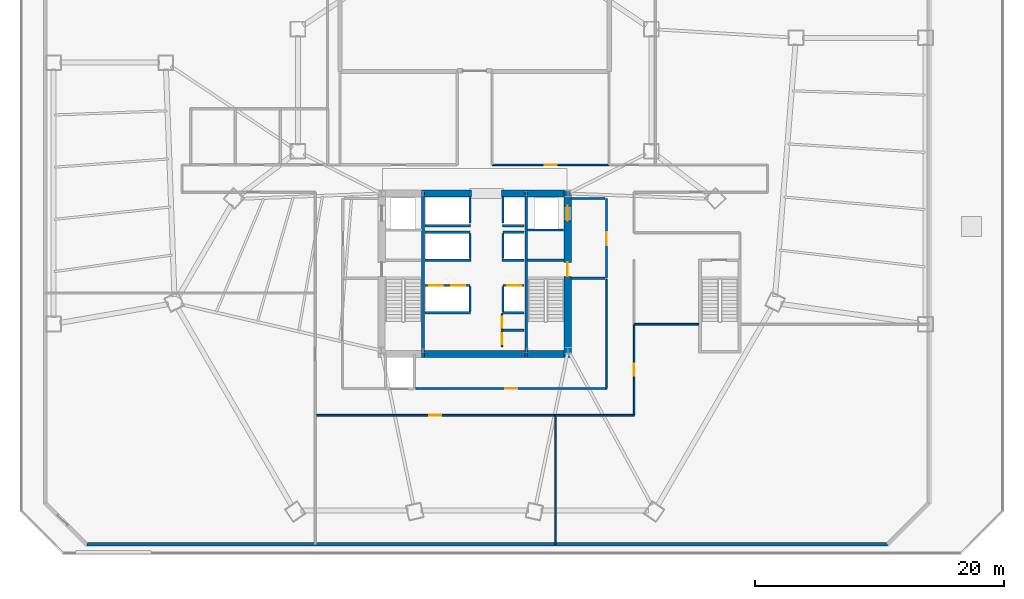
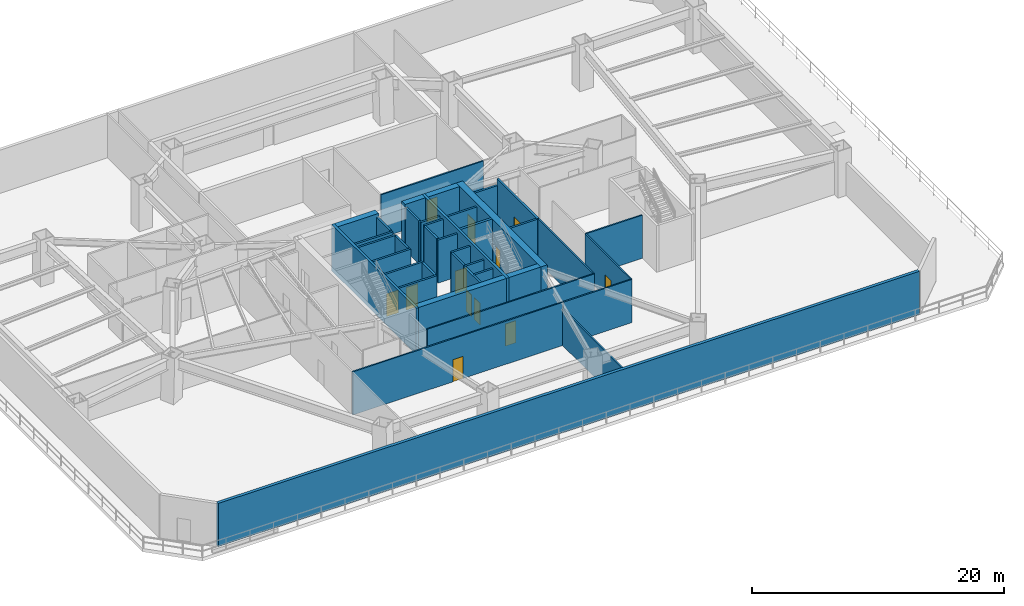
# One storey, part 6 of 13: 40 walls, 12 doors, 12 openings.
"""IFC4 building model written with IfcOpenShell, lengths in metres."""

from ifc_helpers import new_model, si_unit, direction, frame, frame_2d, origin, place, context, subcontext, project, spatial, rectangle, extrude, material, layer, layer_set, type_object, element, fill, save


model = new_model("IFC4")

# Units and contexts
model_context = context("Model", 3, precision=1e-05, world=origin(), true_north=direction((0.0, 1.0)))
body_context = subcontext(model_context, "Body", "Model", "MODEL_VIEW")
ifc_project = project(units=[si_unit("LENGTHUNIT", "METRE"), si_unit("AREAUNIT", "SQUARE_METRE"), si_unit("VOLUMEUNIT", "CUBIC_METRE"), si_unit("PLANEANGLEUNIT", "RADIAN"), si_unit("MASSUNIT", "GRAM", prefix="KILO")], contexts=[model_context])

# Site, building, storey
site_placement = place(None, origin())
site = spatial("IfcSite", under=ifc_project, at=site_placement, CompositionType="ELEMENT")
building_placement = place(site_placement, origin())
building = spatial("IfcBuilding", under=site, at=building_placement, Name="Caelisora Broadcast Tower", CompositionType="ELEMENT")
storey_placement = place(building_placement, frame((0.0, 0.0, 10.199951171875)))
storey = spatial("IfcBuildingStorey", under=building, at=storey_placement, Name="L02", CompositionType="ELEMENT", Elevation=10.199951171875)

# Wall, openings, doors
ifc_material_1 = material(Name="Concrete 65 MPa (AS 3600 S65)", Category="concrete")
ifc_layer_1 = layer(ifc_material_1, 0.60009765625, Name="Concrete 65 MPa (AS 3600 S65)")
ifc_layer_set_1 = layer_set([ifc_layer_1], Name="Concrete 65 MPa (AS 3600 S65)")
wall_type_1 = type_object("IfcWallType", Name="CW1", PredefinedType="SHEAR", material=ifc_layer_set_1)
wall_1_placement = place(storey_placement, frame((45.4599609375, 16.85009765625, 0.0), z_axis=(0.0, 0.0, 1.0), x_axis=(0.0, 1.0, 0.0)))
wall_1 = element("IfcWall", 1, at=wall_1_placement, inside=storey, type_object=wall_type_1, Name="L02 core shear wall CW1", PredefinedType="SHEAR", context=body_context, shape_type="SweptSolid", body=[
    extrude(rectangle(XDim=13.4248046875, YDim=0.60009765625, at=frame_2d((6.71240234375, 0.0))), origin(), (0.0, 0.0, 1.0), 4.5),
])
opening_1_placement = place(wall_1_placement, frame((6.5, 0.0, 0.0)))
opening_1 = element("IfcOpeningElement", 2, at=opening_1_placement, cuts=wall_1, Name="Opening FD04", PredefinedType="OPENING", context=body_context, shape_type="SweptSolid", body=[
    extrude(rectangle(XDim=1.1201171875, YDim=2.14990234375, at=frame_2d((0.56005859375, 1.074951171875))), frame((0.0, 0.31201171875, 0.0), z_axis=(0.0, -1.0, 0.0), x_axis=(1.0, 0.0, 0.0)), (0.0, 0.0, 1.0), 0.6240234375),
])
opening_2_placement = place(wall_1_placement, frame((10.949951171875, 0.0, 0.0)))
opening_2 = element("IfcOpeningElement", 3, at=opening_2_placement, cuts=wall_1, Name="Opening LD04", PredefinedType="OPENING", context=body_context, shape_type="SweptSolid", body=[
    extrude(rectangle(XDim=1.199951171875, YDim=2.199951171875, at=frame_2d((0.60009765625, 1.10009765625))), frame((0.0, 0.31201171875, 0.0), z_axis=(0.0, -1.0, 0.0), x_axis=(1.0, 0.0, 0.0)), (0.0, 0.0, 1.0), 0.6240234375),
])
ifc_material_2 = material(Name="Pressurised Fire-Isolated Stair Door", Category="steel")
door_type_1 = type_object("IfcDoorType", Name="FD04", OperationType="NOTDEFINED", PredefinedType="DOOR", material=ifc_material_2)
door_1_placement = place(opening_1_placement, origin())
door_1 = element("IfcDoor", 4, at=door_1_placement, inside=storey, type_object=door_type_1, Name="L02 door FD04 (L02-DR-ST2)", OperationType="SINGLE_SWING_RIGHT", OverallHeight=2.14990234375, OverallWidth=1.1201171875, PredefinedType="DOOR", context=body_context, shape_type="SweptSolid", body=[
    extrude(rectangle(XDim=1.1201171875, YDim=2.14990234375, at=frame_2d((0.56005859375, 1.074951171875))), frame((0.0, 0.02490234375, 0.0), z_axis=(0.0, -1.0, 0.0), x_axis=(1.0, 0.0, 0.0)), (0.0, 0.0, 1.0), 0.050048828125),
])
fill(opening_1, door_1)
ifc_material_3 = material(Name="Emergency Firefighting Lift Sliding Landing Door", Category="steel")
door_type_2 = type_object("IfcDoorType", Name="LD04", OperationType="NOTDEFINED", PredefinedType="DOOR", material=ifc_material_3)
door_2_placement = place(opening_2_placement, origin())
door_2 = element("IfcDoor", 5, at=door_2_placement, inside=storey, type_object=door_type_2, Name="L02 door LD04 (L02-LD-FFL2)", OperationType="SLIDING_TO_RIGHT", OverallHeight=2.199951171875, OverallWidth=1.199951171875, PredefinedType="DOOR", context=body_context, shape_type="SweptSolid", body=[
    extrude(rectangle(XDim=1.199951171875, YDim=2.199951171875, at=frame_2d((0.60009765625, 1.10009765625))), frame((0.0, 0.02490234375, 0.0), z_axis=(0.0, -1.0, 0.0), x_axis=(1.0, 0.0, 0.0)), (0.0, 0.0, 1.0), 0.050048828125),
])
fill(opening_2, door_2)

# Walls
ifc_layer_2 = layer(ifc_material_1, 0.550048828125, Name="Concrete 65 MPa (AS 3600 S65)")
ifc_layer_set_2 = layer_set([ifc_layer_2], Name="Concrete 65 MPa (AS 3600 S65)")
wall_type_2 = type_object("IfcWallType", Name="CW4", PredefinedType="SHEAR", material=ifc_layer_set_2)
wall_2_placement = place(storey_placement, frame((33.9599609375, 17.125, 0.0), z_axis=(0.0, 0.0, 1.0), x_axis=(1.0, 0.0, 0.0)))
element("IfcWall", 6, at=wall_2_placement, inside=storey, type_object=wall_type_2, Name="L02 core shear wall CW4", PredefinedType="SHEAR", context=body_context, shape_type="SweptSolid", body=[
    extrude(rectangle(XDim=8.080078125, YDim=0.550048828125, at=frame_2d((4.0400390625, 0.0))), origin(), (0.0, 0.0, 1.0), 4.5),
])
wall_3_placement = place(storey_placement, frame((42.260009765625, 17.125, 0.0), z_axis=(0.0, 0.0, 1.0), x_axis=(1.0, 0.0, 0.0)))
element("IfcWall", 7, at=wall_3_placement, inside=storey, type_object=wall_type_2, Name="L02 core shear wall CW4", PredefinedType="SHEAR", context=body_context, shape_type="SweptSolid", body=[
    extrude(rectangle(XDim=2.89990234375, YDim=0.550048828125, at=frame_2d((1.449951171875, 0.0))), origin(), (0.0, 0.0, 1.0), 4.5),
])
wall_4_placement = place(storey_placement, frame((33.9599609375, 30.0, 0.0), z_axis=(0.0, 0.0, 1.0), x_axis=(1.0, 0.0, 0.0)))
element("IfcWall", 8, at=wall_4_placement, inside=storey, type_object=wall_type_2, Name="L02 core shear wall CW4", PredefinedType="SHEAR", context=body_context, shape_type="SweptSolid", body=[
    extrude(rectangle(XDim=3.780029296875, YDim=0.550048828125, at=frame_2d((1.89013671875, 0.0))), origin(), (0.0, 0.0, 1.0), 4.5),
])
wall_5_placement = place(storey_placement, frame((40.159912109375, 30.0, 0.0), z_axis=(0.0, 0.0, 1.0), x_axis=(1.0, 0.0, 0.0)))
element("IfcWall", 9, at=wall_5_placement, inside=storey, type_object=wall_type_2, Name="L02 core shear wall CW4", PredefinedType="SHEAR", context=body_context, shape_type="SweptSolid", body=[
    extrude(rectangle(XDim=1.880126953125, YDim=0.550048828125, at=frame_2d((0.93994140625, 0.0))), origin(), (0.0, 0.0, 1.0), 4.5),
])
wall_6_placement = place(storey_placement, frame((42.260009765625, 30.0, 0.0), z_axis=(0.0, 0.0, 1.0), x_axis=(1.0, 0.0, 0.0)))
element("IfcWall", 10, at=wall_6_placement, inside=storey, type_object=wall_type_2, Name="L02 core shear wall CW4", PredefinedType="SHEAR", context=body_context, shape_type="SweptSolid", body=[
    extrude(rectangle(XDim=2.89990234375, YDim=0.550048828125, at=frame_2d((1.449951171875, 0.0))), origin(), (0.0, 0.0, 1.0), 4.5),
])
ifc_material_4 = material(Name="Concrete 50 MPa (AS 3600 S50)", Category="concrete")
ifc_layer_3 = layer(ifc_material_4, 0.219970703125, Name="Concrete 50 MPa (AS 3600 S50)")
ifc_layer_set_3 = layer_set([ifc_layer_3], Name="Concrete 50 MPa (AS 3600 S50)")
wall_type_3 = type_object("IfcWallType", Name="CW7", PredefinedType="SHEAR", material=ifc_layer_set_3)
for number, where, z_axis, x_axis, name in (
    (11, (33.85009765625, 16.85009765625, 0.0), (0.0, 0.0, 1.0), (0.0, 1.0, 0.0), "L02 core shear wall CW7"),
    (12, (42.14990234375, 16.85009765625, 0.0), (0.0, 0.0, 1.0), (0.0, 1.0, 0.0), "L02 core shear wall CW7"),
):
    element("IfcWall", number, at=place(storey_placement, frame(where, z_axis=z_axis, x_axis=x_axis)), inside=storey, type_object=wall_type_3, Name=name, PredefinedType="SHEAR", context=body_context, shape_type="SweptSolid", body=[
        extrude(rectangle(XDim=13.4248046875, YDim=0.219970703125, at=frame_2d((6.71240234375, 0.0))), origin(), (0.0, 0.0, 1.0), 4.5),
    ])
wall_7_placement = place(storey_placement, frame((42.260009765625, 24.639892578125, 0.0), z_axis=(0.0, 0.0, 1.0), x_axis=(1.0, 0.0, 0.0)))
element("IfcWall", 13, at=wall_7_placement, inside=storey, type_object=wall_type_3, Name="L02 core shear wall CW7", PredefinedType="SHEAR", context=body_context, shape_type="SweptSolid", body=[
    extrude(rectangle(XDim=2.89990234375, YDim=0.219970703125, at=frame_2d((1.449951171875, 0.0))), origin(), (0.0, 0.0, 1.0), 4.5),
])
ifc_material_5 = material(Name="Insulated Terracotta Spandrel Wall System", Category="masonry")
ifc_layer_4 = layer(ifc_material_5, 0.280029296875, Name="Insulated Terracotta Spandrel Wall System")
ifc_layer_set_4 = layer_set([ifc_layer_4], Name="Insulated Terracotta Spandrel Wall System")
wall_type_4 = type_object("IfcWallType", Name="EW1", PredefinedType="STANDARD", material=ifc_layer_set_4)
wall_8_placement = place(storey_placement, frame((71.138916015625, 1.840087890625, 0.0), z_axis=(0.0, 0.0, 1.0), x_axis=(-1.0, 0.0, 0.0)))
element("IfcWall", 14, at=wall_8_placement, inside=storey, type_object=wall_type_4, Name="L02 exterior envelope wall EW1", PredefinedType="STANDARD", context=body_context, shape_type="SweptSolid", body=[
    extrude(rectangle(XDim=64.27783203125, YDim=0.280029296875, at=frame_2d((32.138916015625, 0.0))), origin(), (0.0, 0.0, 1.0), 4.179931640625),
])

# Wall, openings, doors
ifc_material_6 = material(Name="Fire-Rated Gypsum Shaft and Compartment Wall", Category="gypsum")
ifc_layer_5 = layer(ifc_material_6, 0.179931640625, Name="Fire-Rated Gypsum Shaft and Compartment Wall")
ifc_layer_set_5 = layer_set([ifc_layer_5], Name="Fire-Rated Gypsum Shaft and Compartment Wall")
wall_type_5 = type_object("IfcWallType", Name="PW2", PredefinedType="PARTITIONING", material=ifc_layer_set_5)
wall_9_placement = place(storey_placement, frame((34.02001953125, 22.6201171875, 0.0), z_axis=(0.0, 0.0, 1.0), x_axis=(1.0, 0.0, 0.0)))
wall_9 = element("IfcWall", 15, at=wall_9_placement, inside=storey, type_object=wall_type_5, Name="L02 fire compartment wall PW2", PredefinedType="PARTITIONING", context=body_context, shape_type="SweptSolid", body=[
    extrude(rectangle(XDim=3.60009765625, YDim=0.179931640625, at=frame_2d((1.800048828125, 0.0))), origin(), (0.0, 0.0, 1.0), 4.179931640625),
])
opening_3_placement = place(wall_9_placement, frame((0.320068359375, 0.0, 0.0)))
opening_3 = element("IfcOpeningElement", 16, at=opening_3_placement, cuts=wall_9, Name="Opening LD01", PredefinedType="OPENING", context=body_context, shape_type="SweptSolid", body=[
    extrude(rectangle(XDim=1.10009765625, YDim=2.199951171875, at=frame_2d((0.550048828125, 1.10009765625))), frame((0.0, 0.10205078125, 0.0), z_axis=(0.0, -1.0, 0.0), x_axis=(1.0, 0.0, 0.0)), (0.0, 0.0, 1.0), 0.203857421875),
])
opening_4_placement = place(wall_9_placement, frame((2.1201171875, 0.0, 0.0)))
opening_4 = element("IfcOpeningElement", 17, at=opening_4_placement, cuts=wall_9, Name="Opening LD01", PredefinedType="OPENING", context=body_context, shape_type="SweptSolid", body=[
    extrude(rectangle(XDim=1.10009765625, YDim=2.199951171875, at=frame_2d((0.550048828125, 1.10009765625))), frame((0.0, 0.10205078125, 0.0), z_axis=(0.0, -1.0, 0.0), x_axis=(1.0, 0.0, 0.0)), (0.0, 0.0, 1.0), 0.203857421875),
])
ifc_material_7 = material(Name="Stainless Steel Centre-Parting Lift Landing Door", Category="steel")
door_type_3 = type_object("IfcDoorType", Name="LD01", OperationType="NOTDEFINED", PredefinedType="DOOR", material=ifc_material_7)
door_3_placement = place(opening_3_placement, origin())
door_3 = element("IfcDoor", 18, at=door_3_placement, inside=storey, type_object=door_type_3, Name="L02 door LD01 (L02-LD-PLL1)", OperationType="SLIDING_TO_LEFT", OverallHeight=2.199951171875, OverallWidth=1.10009765625, PredefinedType="DOOR", context=body_context, shape_type="SweptSolid", body=[
    extrude(rectangle(XDim=1.10009765625, YDim=2.199951171875, at=frame_2d((0.550048828125, 1.10009765625))), frame((0.0, 0.02490234375, 0.0), z_axis=(0.0, -1.0, 0.0), x_axis=(1.0, 0.0, 0.0)), (0.0, 0.0, 1.0), 0.050048828125),
])
fill(opening_3, door_3)
door_4_placement = place(opening_4_placement, origin())
door_4 = element("IfcDoor", 19, at=door_4_placement, inside=storey, type_object=door_type_3, Name="L02 door LD01 (L02-LD-PLL2)", OperationType="SLIDING_TO_RIGHT", OverallHeight=2.199951171875, OverallWidth=1.10009765625, PredefinedType="DOOR", context=body_context, shape_type="SweptSolid", body=[
    extrude(rectangle(XDim=1.10009765625, YDim=2.199951171875, at=frame_2d((0.550048828125, 1.10009765625))), frame((0.0, 0.02490234375, 0.0), z_axis=(0.0, -1.0, 0.0), x_axis=(1.0, 0.0, 0.0)), (0.0, 0.0, 1.0), 0.050048828125),
])
fill(opening_4, door_4)

# Wall, opening, door
wall_10_placement = place(storey_placement, frame((40.280029296875, 22.6201171875, 0.0), z_axis=(0.0, 0.0, 1.0), x_axis=(1.0, 0.0, 0.0)))
wall_10 = element("IfcWall", 20, at=wall_10_placement, inside=storey, type_object=wall_type_5, Name="L02 fire compartment wall PW2", PredefinedType="PARTITIONING", context=body_context, shape_type="SweptSolid", body=[
    extrude(rectangle(XDim=1.699951171875, YDim=0.179931640625, at=frame_2d((0.85009765625, 0.0))), origin(), (0.0, 0.0, 1.0), 4.179931640625),
])
opening_5_placement = place(wall_10_placement, frame((0.35009765625, 0.0, 0.0)))
opening_5 = element("IfcOpeningElement", 21, at=opening_5_placement, cuts=wall_10, Name="Opening LD01", PredefinedType="OPENING", context=body_context, shape_type="SweptSolid", body=[
    extrude(rectangle(XDim=1.10009765625, YDim=2.199951171875, at=frame_2d((0.550048828125, 1.10009765625))), frame((0.0, 0.10205078125, 0.0), z_axis=(0.0, -1.0, 0.0), x_axis=(1.0, 0.0, 0.0)), (0.0, 0.0, 1.0), 0.203857421875),
])
door_5_placement = place(opening_5_placement, origin())
door_5 = element("IfcDoor", 22, at=door_5_placement, inside=storey, type_object=door_type_3, Name="L02 door LD01 (L02-LD-PLL3)", OperationType="SLIDING_TO_LEFT", OverallHeight=2.199951171875, OverallWidth=1.10009765625, PredefinedType="DOOR", context=body_context, shape_type="SweptSolid", body=[
    extrude(rectangle(XDim=1.10009765625, YDim=2.199951171875, at=frame_2d((0.550048828125, 1.10009765625))), frame((0.0, 0.02490234375, 0.0), z_axis=(0.0, -1.0, 0.0), x_axis=(1.0, 0.0, 0.0)), (0.0, 0.0, 1.0), 0.050048828125),
])
fill(opening_5, door_5)

# Walls
for number, where, z_axis, x_axis, name in (
    (23, (37.6201171875, 20.52001953125, 0.0), (0.0, 0.0, 1.0), (0.0, 1.0, 0.0), "L02 fire compartment wall PW2"),
    (24, (40.280029296875, 20.52001953125, 0.0), (0.0, 0.0, 1.0), (0.0, 1.0, 0.0), "L02 fire compartment wall PW2"),
):
    element("IfcWall", number, at=place(storey_placement, frame(where, z_axis=z_axis, x_axis=x_axis)), inside=storey, type_object=wall_type_5, Name=name, PredefinedType="PARTITIONING", context=body_context, shape_type="SweptSolid", body=[
        extrude(rectangle(XDim=2.0, YDim=0.179931640625, at=frame_2d((1.0, 0.0))), origin(), (0.0, 0.0, 1.0), 4.179931640625),
    ])
wall_11_placement = place(storey_placement, frame((34.02001953125, 26.89990234375, 0.0), z_axis=(0.0, 0.0, 1.0), x_axis=(1.0, 0.0, 0.0)))
element("IfcWall", 25, at=wall_11_placement, inside=storey, type_object=wall_type_5, Name="L02 fire compartment wall PW2", PredefinedType="PARTITIONING", context=body_context, shape_type="SweptSolid", body=[
    extrude(rectangle(XDim=3.60009765625, YDim=0.179931640625, at=frame_2d((1.800048828125, 0.0))), origin(), (0.0, 0.0, 1.0), 4.179931640625),
])
wall_12_placement = place(storey_placement, frame((40.280029296875, 26.89990234375, 0.0), z_axis=(0.0, 0.0, 1.0), x_axis=(1.0, 0.0, 0.0)))
element("IfcWall", 26, at=wall_12_placement, inside=storey, type_object=wall_type_5, Name="L02 fire compartment wall PW2", PredefinedType="PARTITIONING", context=body_context, shape_type="SweptSolid", body=[
    extrude(rectangle(XDim=1.699951171875, YDim=0.179931640625, at=frame_2d((0.85009765625, 0.0))), origin(), (0.0, 0.0, 1.0), 4.179931640625),
])
for number, where, z_axis, x_axis, name in (
    (27, (37.6201171875, 24.800048828125, 0.0), (0.0, 0.0, 1.0), (0.0, 1.0, 0.0), "L02 fire compartment wall PW2"),
    (28, (40.280029296875, 24.800048828125, 0.0), (0.0, 0.0, 1.0), (0.0, 1.0, 0.0), "L02 fire compartment wall PW2"),
):
    element("IfcWall", number, at=place(storey_placement, frame(where, z_axis=z_axis, x_axis=x_axis)), inside=storey, type_object=wall_type_5, Name=name, PredefinedType="PARTITIONING", context=body_context, shape_type="SweptSolid", body=[
        extrude(rectangle(XDim=2.0, YDim=0.179931640625, at=frame_2d((1.0, 0.0))), origin(), (0.0, 0.0, 1.0), 4.179931640625),
    ])
wall_13_placement = place(storey_placement, frame((34.02001953125, 24.639892578125, 0.0), z_axis=(0.0, 0.0, 1.0), x_axis=(1.0, 0.0, 0.0)))
element("IfcWall", 29, at=wall_13_placement, inside=storey, type_object=wall_type_5, Name="L02 fire compartment wall PW2", PredefinedType="PARTITIONING", context=body_context, shape_type="SweptSolid", body=[
    extrude(rectangle(XDim=3.679931640625, YDim=0.179931640625, at=frame_2d((1.83984375, 0.0))), origin(), (0.0, 0.0, 1.0), 4.179931640625),
])
wall_14_placement = place(storey_placement, frame((40.199951171875, 24.639892578125, 0.0), z_axis=(0.0, 0.0, 1.0), x_axis=(1.0, 0.0, 0.0)))
element("IfcWall", 30, at=wall_14_placement, inside=storey, type_object=wall_type_5, Name="L02 fire compartment wall PW2", PredefinedType="PARTITIONING", context=body_context, shape_type="SweptSolid", body=[
    extrude(rectangle(XDim=1.780029296875, YDim=0.179931640625, at=frame_2d((0.89013671875, 0.0))), origin(), (0.0, 0.0, 1.0), 4.179931640625),
])
wall_15_placement = place(storey_placement, frame((34.02001953125, 27.419921875, 0.0), z_axis=(0.0, 0.0, 1.0), x_axis=(1.0, 0.0, 0.0)))
element("IfcWall", 31, at=wall_15_placement, inside=storey, type_object=wall_type_5, Name="L02 fire compartment wall PW2", PredefinedType="PARTITIONING", context=body_context, shape_type="SweptSolid", body=[
    extrude(rectangle(XDim=3.659912109375, YDim=0.179931640625, at=frame_2d((1.830078125, 0.0))), origin(), (0.0, 0.0, 1.0), 4.179931640625),
])
wall_16_placement = place(storey_placement, frame((40.219970703125, 27.419921875, 0.0), z_axis=(0.0, 0.0, 1.0), x_axis=(1.0, 0.0, 0.0)))
element("IfcWall", 32, at=wall_16_placement, inside=storey, type_object=wall_type_5, Name="L02 fire compartment wall PW2", PredefinedType="PARTITIONING", context=body_context, shape_type="SweptSolid", body=[
    extrude(rectangle(XDim=1.760009765625, YDim=0.179931640625, at=frame_2d((0.8798828125, 0.0))), origin(), (0.0, 0.0, 1.0), 4.179931640625),
])
for number, where, z_axis, x_axis, name in (
    (33, (37.6201171875, 27.639892578125, 0.0), (0.0, 0.0, 1.0), (0.0, 1.0, 0.0), "L02 fire compartment wall PW2"),
    (34, (40.280029296875, 27.639892578125, 0.0), (0.0, 0.0, 1.0), (0.0, 1.0, 0.0), "L02 fire compartment wall PW2"),
):
    element("IfcWall", number, at=place(storey_placement, frame(where, z_axis=z_axis, x_axis=x_axis)), inside=storey, type_object=wall_type_5, Name=name, PredefinedType="PARTITIONING", context=body_context, shape_type="SweptSolid", body=[
        extrude(rectangle(XDim=2.110107421875, YDim=0.179931640625, at=frame_2d((1.05517578125, 0.0))), origin(), (0.0, 0.0, 1.0), 4.179931640625),
    ])

# Wall, opening, door
wall_17_placement = place(storey_placement, frame((48.580078125, 23.199951171875, 0.0), z_axis=(0.0, 0.0, 1.0), x_axis=(0.0, 1.0, 0.0)))
wall_17 = element("IfcWall", 35, at=wall_17_placement, inside=storey, type_object=wall_type_5, Name="L02 fire compartment wall PW2", PredefinedType="PARTITIONING", context=body_context, shape_type="SweptSolid", body=[
    extrude(rectangle(XDim=6.400146484375, YDim=0.179931640625, at=frame_2d((3.2001953125, 0.0))), origin(), (0.0, 0.0, 1.0), 4.179931640625),
])
opening_6_placement = place(wall_17_placement, frame((2.64990234375, 0.0, 0.0)))
opening_6 = element("IfcOpeningElement", 36, at=opening_6_placement, cuts=wall_17, Name="Opening FD02", PredefinedType="OPENING", context=body_context, shape_type="SweptSolid", body=[
    extrude(rectangle(XDim=1.050048828125, YDim=2.14990234375, at=frame_2d((0.52490234375, 1.074951171875))), frame((0.0, 0.10205078125, 0.0), z_axis=(0.0, -1.0, 0.0), x_axis=(1.0, 0.0, 0.0)), (0.0, 0.0, 1.0), 0.203857421875),
])
ifc_material_8 = material(Name="Single-Leaf Steel Fire Lobby Door", Category="steel")
door_type_4 = type_object("IfcDoorType", Name="FD02", OperationType="NOTDEFINED", PredefinedType="DOOR", material=ifc_material_8)
door_6_placement = place(opening_6_placement, origin())
door_6 = element("IfcDoor", 37, at=door_6_placement, inside=storey, type_object=door_type_4, Name="L02 door FD02 (L02-DR-P04D1)", OperationType="SINGLE_SWING_RIGHT", OverallHeight=2.14990234375, OverallWidth=1.050048828125, PredefinedType="DOOR", context=body_context, shape_type="SweptSolid", body=[
    extrude(rectangle(XDim=1.050048828125, YDim=2.14990234375, at=frame_2d((0.52490234375, 1.074951171875))), frame((0.0, 0.02490234375, 0.0), z_axis=(0.0, -1.0, 0.0), x_axis=(1.0, 0.0, 0.0)), (0.0, 0.0, 1.0), 0.050048828125),
])
fill(opening_6, door_6)

# Walls
wall_18_placement = place(storey_placement, frame((45.719970703125, 23.199951171875, 0.0), z_axis=(0.0, 0.0, 1.0), x_axis=(1.0, 0.0, 0.0)))
element("IfcWall", 38, at=wall_18_placement, inside=storey, type_object=wall_type_5, Name="L02 fire compartment wall PW2", PredefinedType="PARTITIONING", context=body_context, shape_type="SweptSolid", body=[
    extrude(rectangle(XDim=2.760009765625, YDim=0.179931640625, at=frame_2d((1.3798828125, 0.0))), origin(), (0.0, 0.0, 1.0), 4.179931640625),
])
wall_19_placement = place(storey_placement, frame((45.719970703125, 29.60009765625, 0.0), z_axis=(0.0, 0.0, 1.0), x_axis=(1.0, 0.0, 0.0)))
element("IfcWall", 39, at=wall_19_placement, inside=storey, type_object=wall_type_5, Name="L02 fire compartment wall PW2", PredefinedType="PARTITIONING", context=body_context, shape_type="SweptSolid", body=[
    extrude(rectangle(XDim=2.760009765625, YDim=0.179931640625, at=frame_2d((1.3798828125, 0.0))), origin(), (0.0, 0.0, 1.0), 3.553466796875),
])
wall_20_placement = place(storey_placement, frame((42.239990234375, 27.070068359375, 0.0), z_axis=(0.0, 0.0, 1.0), x_axis=(1.0, 0.0, 0.0)))
element("IfcWall", 40, at=wall_20_placement, inside=storey, type_object=wall_type_5, Name="L02 fire compartment wall PW2", PredefinedType="PARTITIONING", context=body_context, shape_type="SweptSolid", body=[
    extrude(rectangle(XDim=2.89990234375, YDim=0.179931640625, at=frame_2d((1.449951171875, 0.0))), origin(), (0.0, 0.0, 1.0), 4.179931640625),
])
wall_21_placement = place(storey_placement, frame((34.02001953125, 20.419921875, 0.0), z_axis=(0.0, 0.0, 1.0), x_axis=(1.0, 0.0, 0.0)))
element("IfcWall", 41, at=wall_21_placement, inside=storey, type_object=wall_type_5, Name="L02 fire compartment wall PW2", PredefinedType="PARTITIONING", context=body_context, shape_type="SweptSolid", body=[
    extrude(rectangle(XDim=3.639892578125, YDim=0.179931640625, at=frame_2d((1.81982421875, 0.0))), origin(), (0.0, 0.0, 1.0), 4.179931640625),
])
wall_22_placement = place(storey_placement, frame((40.219970703125, 20.419921875, 0.0), z_axis=(0.0, 0.0, 1.0), x_axis=(1.0, 0.0, 0.0)))
element("IfcWall", 42, at=wall_22_placement, inside=storey, type_object=wall_type_5, Name="L02 fire compartment wall PW2", PredefinedType="PARTITIONING", context=body_context, shape_type="SweptSolid", body=[
    extrude(rectangle(XDim=1.760009765625, YDim=0.179931640625, at=frame_2d((0.8798828125, 0.0))), origin(), (0.0, 0.0, 1.0), 4.179931640625),
])
wall_23_placement = place(storey_placement, frame((40.280029296875, 19.02001953125, 0.0), z_axis=(0.0, 0.0, 1.0), x_axis=(1.0, 0.0, 0.0)))
element("IfcWall", 43, at=wall_23_placement, inside=storey, type_object=wall_type_5, Name="L02 fire compartment wall PW2", PredefinedType="PARTITIONING", context=body_context, shape_type="SweptSolid", body=[
    extrude(rectangle(XDim=1.699951171875, YDim=0.179931640625, at=frame_2d((0.85009765625, 0.0))), origin(), (0.0, 0.0, 1.0), 4.179931640625),
])

# Wall, openings, doors
wall_24_placement = place(storey_placement, frame((40.199951171875, 17.679931640625, 0.0), z_axis=(0.0, 0.0, 1.0), x_axis=(0.0, 1.0, 0.0)))
wall_24 = element("IfcWall", 44, at=wall_24_placement, inside=storey, type_object=wall_type_5, Name="L02 fire compartment wall PW2", PredefinedType="PARTITIONING", context=body_context, shape_type="SweptSolid", body=[
    extrude(rectangle(XDim=2.699951171875, YDim=0.179931640625, at=frame_2d((1.35009765625, 0.0))), origin(), (0.0, 0.0, 1.0), 4.179931640625),
])
opening_7_placement = place(wall_24_placement, frame((0.219970703125, 0.0, 0.0)))
opening_7 = element("IfcOpeningElement", 45, at=opening_7_placement, cuts=wall_24, Name="Opening FD03", PredefinedType="OPENING", context=body_context, shape_type="SweptSolid", body=[
    extrude(rectangle(XDim=0.89990234375, YDim=2.10009765625, at=frame_2d((0.449951171875, 1.050048828125))), frame((0.0, 0.10205078125, 0.0), z_axis=(0.0, -1.0, 0.0), x_axis=(1.0, 0.0, 0.0)), (0.0, 0.0, 1.0), 0.203857421875),
])
opening_8_placement = place(wall_24_placement, frame((1.5400390625, 0.0, 0.0)))
opening_8 = element("IfcOpeningElement", 46, at=opening_8_placement, cuts=wall_24, Name="Opening FD03", PredefinedType="OPENING", context=body_context, shape_type="SweptSolid", body=[
    extrude(rectangle(XDim=0.89990234375, YDim=2.10009765625, at=frame_2d((0.449951171875, 1.050048828125))), frame((0.0, 0.10205078125, 0.0), z_axis=(0.0, -1.0, 0.0), x_axis=(1.0, 0.0, 0.0)), (0.0, 0.0, 1.0), 0.203857421875),
])
ifc_material_9 = material(Name="Single-Leaf Steel Riser Fire Access Door", Category="steel")
door_type_5 = type_object("IfcDoorType", Name="FD03", OperationType="NOTDEFINED", PredefinedType="DOOR", material=ifc_material_9)
door_7_placement = place(opening_7_placement, origin())
door_7 = element("IfcDoor", 47, at=door_7_placement, inside=storey, type_object=door_type_5, Name="L02 door FD03 (L02-DR-P12D1)", OperationType="SINGLE_SWING_LEFT", OverallHeight=2.10009765625, OverallWidth=0.89990234375, PredefinedType="DOOR", context=body_context, shape_type="SweptSolid", body=[
    extrude(rectangle(XDim=0.89990234375, YDim=2.10009765625, at=frame_2d((0.449951171875, 1.050048828125))), frame((0.0, 0.02490234375, 0.0), z_axis=(0.0, -1.0, 0.0), x_axis=(1.0, 0.0, 0.0)), (0.0, 0.0, 1.0), 0.050048828125),
])
fill(opening_7, door_7)
door_8_placement = place(opening_8_placement, origin())
door_8 = element("IfcDoor", 48, at=door_8_placement, inside=storey, type_object=door_type_5, Name="L02 door FD03 (L02-DR-P12D2)", OperationType="SINGLE_SWING_RIGHT", OverallHeight=2.10009765625, OverallWidth=0.89990234375, PredefinedType="DOOR", context=body_context, shape_type="SweptSolid", body=[
    extrude(rectangle(XDim=0.89990234375, YDim=2.10009765625, at=frame_2d((0.449951171875, 1.050048828125))), frame((0.0, 0.02490234375, 0.0), z_axis=(0.0, -1.0, 0.0), x_axis=(1.0, 0.0, 0.0)), (0.0, 0.0, 1.0), 0.050048828125),
])
fill(opening_8, door_8)

# Wall, opening, door
ifc_material_10 = material(Name="Acoustic Steel-Stud Plasterboard Partition", Category="gypsum")
ifc_layer_6 = layer(ifc_material_10, 0.1298828125, Name="Acoustic Steel-Stud Plasterboard Partition")
ifc_layer_set_6 = layer_set([ifc_layer_6], Name="Acoustic Steel-Stud Plasterboard Partition")
wall_type_6 = type_object("IfcWallType", Name="PW3", PredefinedType="PARTITIONING", material=ifc_layer_set_6)
wall_25_placement = place(storey_placement, frame((25.205078125, 12.199951171875, 0.0), z_axis=(0.0, 0.0, 1.0), x_axis=(1.0, 0.0, 0.0)))
wall_25 = element("IfcWall", 49, at=wall_25_placement, inside=storey, type_object=wall_type_6, Name="L02 internal partition PW3", PredefinedType="PARTITIONING", context=body_context, shape_type="SweptSolid", body=[
    extrude(rectangle(XDim=19.2900390625, YDim=0.1298828125, at=frame_2d((9.64501953125, 0.0))), origin(), (0.0, 0.0, 1.0), 4.179931640625),
])
opening_9_placement = place(wall_25_placement, frame((9.1650390625, 0.0, 0.0)))
opening_9 = element("IfcOpeningElement", 50, at=opening_9_placement, cuts=wall_25, Name="Opening D01", PredefinedType="OPENING", context=body_context, shape_type="SweptSolid", body=[
    extrude(rectangle(XDim=0.9599609375, YDim=2.14990234375, at=frame_2d((0.47998046875, 1.074951171875))), frame((0.0, 0.076904296875, 0.0), z_axis=(0.0, -1.0, 0.0), x_axis=(1.0, 0.0, 0.0)), (0.0, 0.0, 1.0), 0.15380859375),
])
ifc_material_11 = material(Name="Solid-Core Timber Acoustic Office Door", Category="wood")
door_type_6 = type_object("IfcDoorType", Name="D01", OperationType="NOTDEFINED", PredefinedType="DOOR", material=ifc_material_11)
door_9_placement = place(opening_9_placement, origin())
door_9 = element("IfcDoor", 51, at=door_9_placement, inside=storey, type_object=door_type_6, Name="L02 door D01 (L02-DR-P34D1)", OperationType="SINGLE_SWING_RIGHT", OverallHeight=2.14990234375, OverallWidth=0.9599609375, PredefinedType="DOOR", context=body_context, shape_type="SweptSolid", body=[
    extrude(rectangle(XDim=0.9599609375, YDim=2.14990234375, at=frame_2d((0.47998046875, 1.074951171875))), frame((0.0, 0.02490234375, 0.0), z_axis=(0.0, -1.0, 0.0), x_axis=(1.0, 0.0, 0.0)), (0.0, 0.0, 1.0), 0.050048828125),
])
fill(opening_9, door_9)

wall_26_placement = place(storey_placement, frame((33.27490234375, 14.35009765625, 0.0), z_axis=(0.0, 0.0, 1.0), x_axis=(1.0, 0.0, 0.0)))
wall_26 = element("IfcWall", 52, at=wall_26_placement, inside=storey, type_object=wall_type_6, Name="L02 internal partition PW3", PredefinedType="PARTITIONING", context=body_context, shape_type="SweptSolid", body=[
    extrude(rectangle(XDim=15.320068359375, YDim=0.1298828125, at=frame_2d((7.66015625, 0.0))), origin(), (0.0, 0.0, 1.0), 4.179931640625),
])
opening_10_placement = place(wall_26_placement, frame((7.179931640625, 0.0, 0.0)))
opening_10 = element("IfcOpeningElement", 53, at=opening_10_placement, cuts=wall_26, Name="Opening D01", PredefinedType="OPENING", context=body_context, shape_type="SweptSolid", body=[
    extrude(rectangle(XDim=0.9599609375, YDim=2.14990234375, at=frame_2d((0.47998046875, 1.074951171875))), frame((0.0, 0.076904296875, 0.0), z_axis=(0.0, -1.0, 0.0), x_axis=(1.0, 0.0, 0.0)), (0.0, 0.0, 1.0), 0.15380859375),
])
door_10_placement = place(opening_10_placement, origin())
door_10 = element("IfcDoor", 54, at=door_10_placement, inside=storey, type_object=door_type_6, Name="L02 door D01 (L02-DR-P36D1)", OperationType="SINGLE_SWING_LEFT", OverallHeight=2.14990234375, OverallWidth=0.9599609375, PredefinedType="DOOR", context=body_context, shape_type="SweptSolid", body=[
    extrude(rectangle(XDim=0.9599609375, YDim=2.14990234375, at=frame_2d((0.47998046875, 1.074951171875))), frame((0.0, 0.02490234375, 0.0), z_axis=(0.0, -1.0, 0.0), x_axis=(1.0, 0.0, 0.0)), (0.0, 0.0, 1.0), 0.050048828125),
])
fill(opening_10, door_10)

# Wall
wall_27_placement = place(storey_placement, frame((44.5, 1.830078125, 0.0), z_axis=(0.0, 0.0, 1.0), x_axis=(0.0, 1.0, 0.0)))
element("IfcWall", 55, at=wall_27_placement, inside=storey, type_object=wall_type_6, Name="L02 internal partition PW3", PredefinedType="PARTITIONING", context=body_context, shape_type="SweptSolid", body=[
    extrude(rectangle(XDim=10.364990234375, YDim=0.1298828125, at=frame_2d((5.1826171875, 0.0))), origin(), (0.0, 0.0, 1.0), 3.553466796875),
])

# Wall, opening, door
wall_28_placement = place(storey_placement, frame((48.794921875, 32.300048828125, 0.0), z_axis=(0.0, 0.0, 1.0), x_axis=(-1.0, 0.0, 0.0)))
wall_28 = element("IfcWall", 56, at=wall_28_placement, inside=storey, type_object=wall_type_6, Name="L02 internal partition PW3", PredefinedType="PARTITIONING", context=body_context, shape_type="SweptSolid", body=[
    extrude(rectangle(XDim=9.389892578125, YDim=0.1298828125, at=frame_2d((4.69482421875, 0.0))), origin(), (0.0, 0.0, 1.0), 4.179931640625),
])
opening_11_placement = place(wall_28_placement, frame((4.215087890625, 0.0, 0.0)))
opening_11 = element("IfcOpeningElement", 57, at=opening_11_placement, cuts=wall_28, Name="Opening D01", PredefinedType="OPENING", context=body_context, shape_type="SweptSolid", body=[
    extrude(rectangle(XDim=0.9599609375, YDim=2.14990234375, at=frame_2d((0.47998046875, 1.074951171875))), frame((0.0, 0.076904296875, 0.0), z_axis=(0.0, -1.0, 0.0), x_axis=(1.0, 0.0, 0.0)), (0.0, 0.0, 1.0), 0.15380859375),
])
door_11_placement = place(opening_11_placement, origin())
door_11 = element("IfcDoor", 58, at=door_11_placement, inside=storey, type_object=door_type_6, Name="L02 door D01 (L02-DR-P44D1)", OperationType="SINGLE_SWING_LEFT", OverallHeight=2.14990234375, OverallWidth=0.9599609375, PredefinedType="DOOR", context=body_context, shape_type="SweptSolid", body=[
    extrude(rectangle(XDim=0.9599609375, YDim=2.14990234375, at=frame_2d((0.47998046875, 1.074951171875))), frame((0.0, 0.02490234375, 0.0), z_axis=(0.0, -1.0, 0.0), x_axis=(1.0, 0.0, 0.0)), (0.0, 0.0, 1.0), 0.050048828125),
])
fill(opening_11, door_11)

# Wall
wall_29_placement = place(storey_placement, frame((48.60009765625, 14.35498046875, 0.0), z_axis=(0.0, 0.0, 1.0), x_axis=(0.0, 1.0, 0.0)))
element("IfcWall", 59, at=wall_29_placement, inside=storey, type_object=wall_type_6, Name="L02 internal partition PW3", PredefinedType="PARTITIONING", context=body_context, shape_type="SweptSolid", body=[
    extrude(rectangle(XDim=8.75, YDim=0.1298828125, at=frame_2d((4.375, 0.0))), origin(), (0.0, 0.0, 1.0), 4.179931640625),
])

# Wall, opening, door
wall_30_placement = place(storey_placement, frame((50.800048828125, 12.205078125, 0.0), z_axis=(0.0, 0.0, 1.0), x_axis=(0.0, 1.0, 0.0)))
wall_30 = element("IfcWall", 60, at=wall_30_placement, inside=storey, type_object=wall_type_6, Name="L02 internal partition PW3", PredefinedType="PARTITIONING", context=body_context, shape_type="SweptSolid", body=[
    extrude(rectangle(XDim=7.2900390625, YDim=0.1298828125, at=frame_2d((3.64501953125, 0.0))), origin(), (0.0, 0.0, 1.0), 4.179931640625),
])
opening_12_placement = place(wall_30_placement, frame((3.1650390625, 0.0, 0.0)))
opening_12 = element("IfcOpeningElement", 61, at=opening_12_placement, cuts=wall_30, Name="Opening D01", PredefinedType="OPENING", context=body_context, shape_type="SweptSolid", body=[
    extrude(rectangle(XDim=0.9599609375, YDim=2.14990234375, at=frame_2d((0.47998046875, 1.074951171875))), frame((0.0, 0.076904296875, 0.0), z_axis=(0.0, -1.0, 0.0), x_axis=(1.0, 0.0, 0.0)), (0.0, 0.0, 1.0), 0.15380859375),
])
door_12_placement = place(opening_12_placement, origin())
door_12 = element("IfcDoor", 62, at=door_12_placement, inside=storey, type_object=door_type_6, Name="L02 door D01 (L02-DR-P54D1)", OperationType="SINGLE_SWING_LEFT", OverallHeight=2.14990234375, OverallWidth=0.9599609375, PredefinedType="DOOR", context=body_context, shape_type="SweptSolid", body=[
    extrude(rectangle(XDim=0.9599609375, YDim=2.14990234375, at=frame_2d((0.47998046875, 1.074951171875))), frame((0.0, 0.02490234375, 0.0), z_axis=(0.0, -1.0, 0.0), x_axis=(1.0, 0.0, 0.0)), (0.0, 0.0, 1.0), 0.050048828125),
])
fill(opening_12, door_12)

# Walls
wall_31_placement = place(storey_placement, frame((44.5048828125, 12.199951171875, 0.0), z_axis=(0.0, 0.0, 1.0), x_axis=(1.0, 0.0, 0.0)))
element("IfcWall", 63, at=wall_31_placement, inside=storey, type_object=wall_type_6, Name="L02 internal partition PW3", PredefinedType="PARTITIONING", context=body_context, shape_type="SweptSolid", body=[
    extrude(rectangle(XDim=6.2900390625, YDim=0.1298828125, at=frame_2d((3.14501953125, 0.0))), origin(), (0.0, 0.0, 1.0), 4.179931640625),
])
wall_32_placement = place(storey_placement, frame((50.804931640625, 19.5, 0.0), z_axis=(0.0, 0.0, 1.0), x_axis=(1.0, 0.0, 0.0)))
element("IfcWall", 64, at=wall_32_placement, inside=storey, type_object=wall_type_6, Name="L02 internal partition PW3", PredefinedType="PARTITIONING", context=body_context, shape_type="SweptSolid", body=[
    extrude(rectangle(XDim=5.170166015625, YDim=0.1298828125, at=frame_2d((2.5849609375, 0.0))), origin(), (0.0, 0.0, 1.0), 4.179931640625),
])

save(model, "model.ifc")
